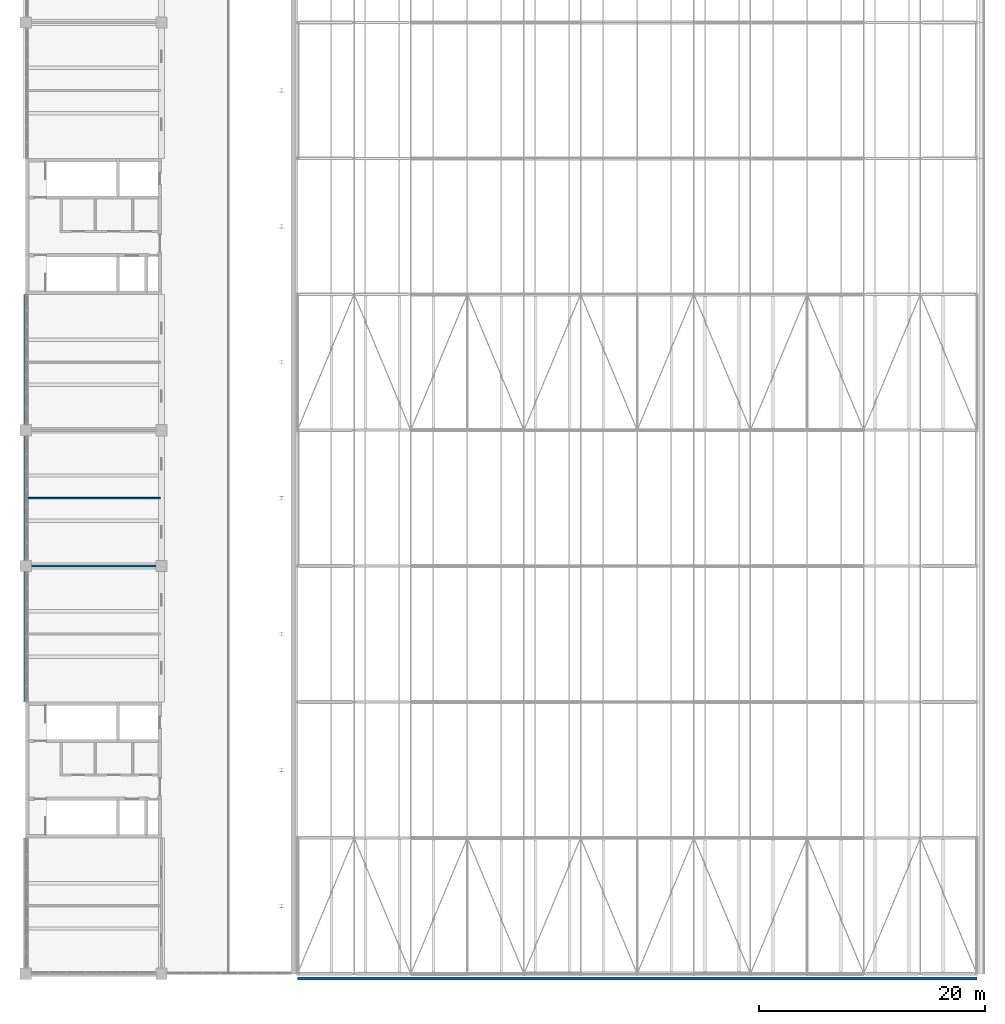
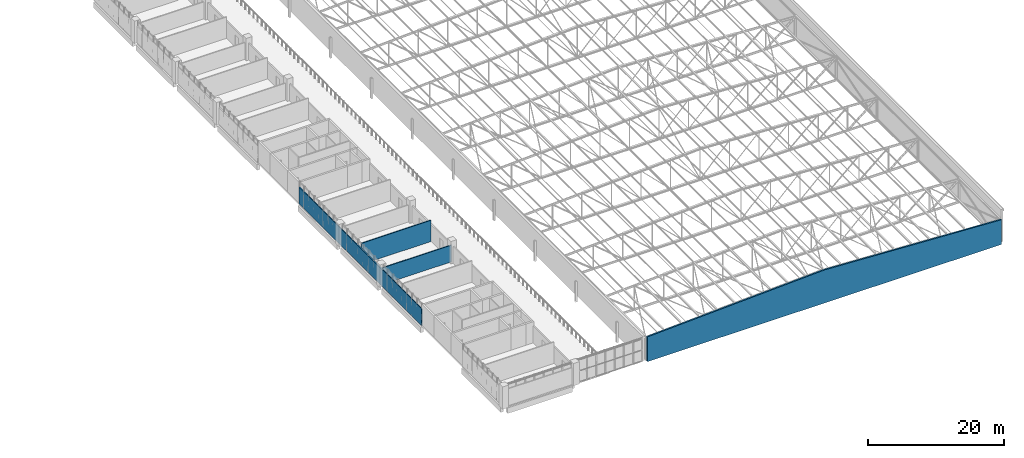
# One storey, part 142 of 156: 4 walls.
"""IFC4 building model written with IfcOpenShell, lengths in metres."""

from ifc_helpers import new_model, si_unit, direction, frame, frame_2d, origin, place, context, subcontext, project, spatial, polyline, rectangle, outline, extrude, material, layer, layer_set, type_object, element, save


model = new_model("IFC4")

# Units and contexts
model_context = context("Model", 3, precision=1e-05, world=origin(), true_north=direction((0.0, 1.0)))
body_context = subcontext(model_context, "Body", "Model", "MODEL_VIEW")
ifc_project = project(units=[si_unit("LENGTHUNIT", "METRE"), si_unit("AREAUNIT", "SQUARE_METRE"), si_unit("VOLUMEUNIT", "CUBIC_METRE"), si_unit("PLANEANGLEUNIT", "RADIAN"), si_unit("MASSUNIT", "GRAM", prefix="KILO")], contexts=[model_context])

# Site, building, storey
site_placement = place(None, origin())
site = spatial("IfcSite", under=ifc_project, at=site_placement, CompositionType="ELEMENT")
building_placement = place(site_placement, origin())
building = spatial("IfcBuilding", under=site, at=building_placement, Name="Lilac Gate Convention Centre", CompositionType="ELEMENT")
storey_placement = place(building_placement, frame((0.0, 0.0, 17.0)))
storey = spatial("IfcBuildingStorey", under=building, at=storey_placement, Name="L03", CompositionType="ELEMENT", Elevation=17.0)

# Walls
ifc_material_1 = material(Name="Insulated sandwich panel, steel faces Q235, mineral wool core", Category="steel")
ifc_layer_1 = layer(ifc_material_1, 0.25)
ifc_layer_set_1 = layer_set([ifc_layer_1], Name="Insulated sandwich panel, steel faces Q235, mineral wool core")
wall_type_1 = type_object("IfcWallType", Name="Hall insulated wall panel 250", PredefinedType="STANDARD", material=ifc_layer_set_1)
wall_1_placement = place(storey_placement, frame((30.0, 29.574951171875, 0.0), z_axis=(0.0, 0.0, 1.0), x_axis=(1.0, 0.0, 0.0)))
element("IfcWall", 1, at=wall_1_placement, inside=storey, type_object=wall_type_1, Name="External wall HS L03 gable", PredefinedType="STANDARD", context=body_context, shape_type="SweptSolid", body=[
    extrude(outline(polyline([(0.0, 0.0), (60.0, 0.0), (60.0, 4.42529296875), (30.0, 5.92529296875), (0.0, 4.42529296875), (0.0, 0.0)])), frame((0.0, 0.125, 0.0), z_axis=(0.0, -1.0, 0.0), x_axis=(1.0, 0.0, 0.0)), (0.0, 0.0, 1.0), 0.25),
])
ifc_material_2 = material(Name="Fire-rated gypsum board on steel stud", Category="steel")
ifc_layer_2 = layer(ifc_material_2, 0.14990234375)
ifc_layer_set_2 = layer_set([ifc_layer_2], Name="Fire-rated gypsum board on steel stud")
wall_type_2 = type_object("IfcWallType", Name="Partition 150 fire-rated gypsum board EI 60", PredefinedType="PARTITIONING", material=ifc_layer_set_2)
wall_2_placement = place(storey_placement, frame((6.074951171875, 66.0, 0.0), z_axis=(0.0, 0.0, 1.0), x_axis=(1.0, 0.0, 0.0)))
element("IfcWall", 2, at=wall_2_placement, inside=storey, type_object=wall_type_2, Name="Partition 150 fire-rated gypsum board EI 60", PredefinedType="PARTITIONING", context=body_context, shape_type="SweptSolid", body=[
    extrude(rectangle(XDim=11.824951171875, YDim=0.14990234375, at=frame_2d((5.91259765625, 0.0))), origin(), (0.0, 0.0, 1.0), 3.0),
])
wall_3_placement = place(storey_placement, frame((6.074951171875, 72.0, 0.0), z_axis=(0.0, 0.0, 1.0), x_axis=(1.0, 0.0, 0.0)))
element("IfcWall", 3, at=wall_3_placement, inside=storey, type_object=wall_type_2, Name="Partition 150 fire-rated gypsum board EI 60", PredefinedType="PARTITIONING", context=body_context, shape_type="SweptSolid", body=[
    extrude(rectangle(XDim=11.824951171875, YDim=0.14990234375, at=frame_2d((5.91259765625, 0.0))), origin(), (0.0, 0.0, 1.0), 3.800048828125),
])
wall_4_placement = place(storey_placement, frame((6.0, 54.0, 0.0), z_axis=(0.0, 0.0, 1.0), x_axis=(0.0, 1.0, 0.0)))
element("IfcWall", 4, at=wall_4_placement, inside=storey, type_object=wall_type_2, Name="Partition 150 fire-rated gypsum board EI 60", PredefinedType="PARTITIONING", context=body_context, shape_type="SweptSolid", body=[
    extrude(rectangle(XDim=36.0, YDim=0.14990234375, at=frame_2d((18.0, 0.0))), origin(), (0.0, 0.0, 1.0), 3.0),
])

save(model, "model.ifc")
